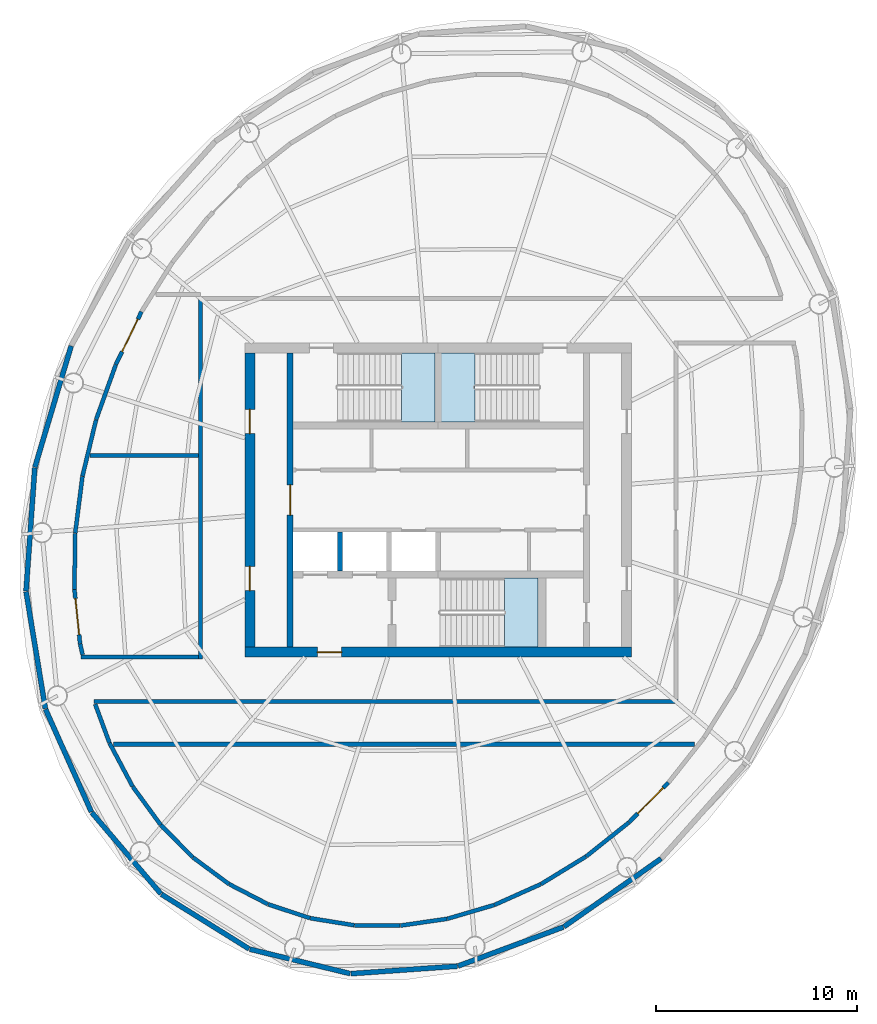
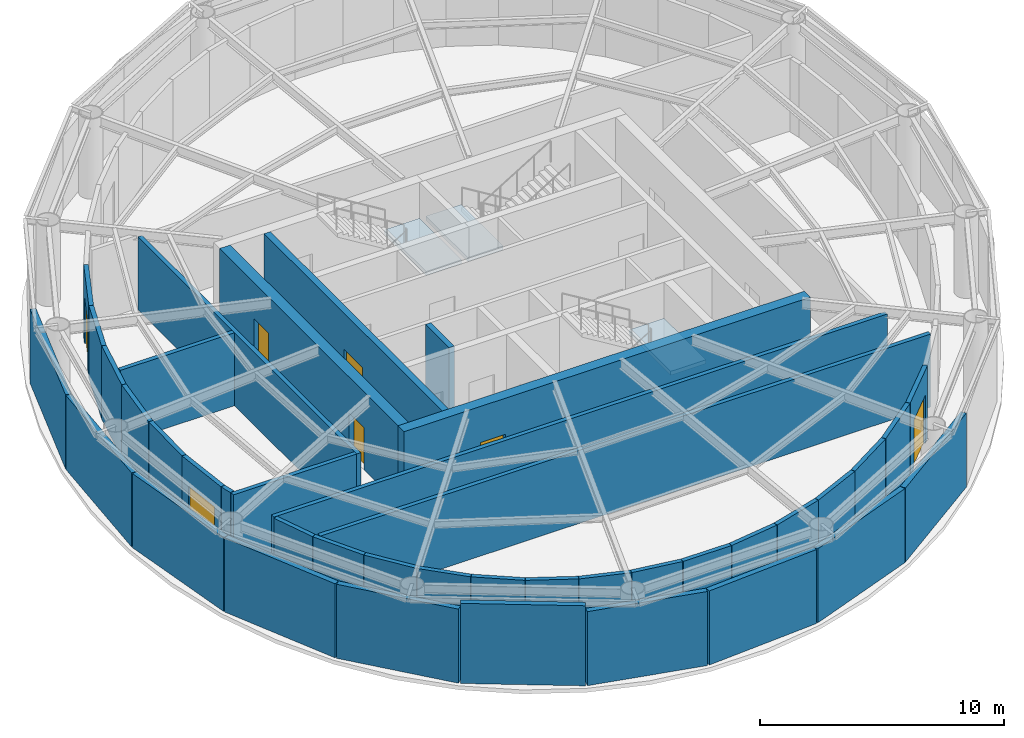
# One storey, part 3 of 6: 41 walls, 7 doors, 3 slabs, 7 openings, 3 elements without a shape of their own.
"""IFC4 building model written with IfcOpenShell, lengths in metres."""

import ifcopenshell
import ifcopenshell.guid

model = None  # the IFC model being written
_history = None  # IfcOwnerHistory: only IFC2X3 demands one
_inside = {}  # id of a spatial element -> (the spatial element, [elements in it])
_under = {}  # id of a project, library or spatial element -> (it, [spatial elements below it])
_declared = {}  # id of a project -> (the project, [libraries it declares])
_typed = {}  # id of a type object -> (the type object, [elements of that type])
_made_of = {}  # id of a material, layer set ... -> (it, [elements and type objects made of it])


def new_model(schema):
    """Start an empty IFC model of exactly this schema.

    Asked for "IFC4X3", IfcOpenShell would pick the latest addendum, in which some entities
    have other attributes; the version numbers below select the first issue.
    IFC2X3 requires an IfcOwnerHistory on every rooted entity: one is made here for all.
    """
    global model, _history
    if schema == "IFC4X3":
        model = ifcopenshell.file(schema_version=(4, 3, 0, 0))
    else:
        model = ifcopenshell.file(schema=schema)
    _inside.clear()
    _under.clear()
    _declared.clear()
    _typed.clear()
    _made_of.clear()
    _history = None
    if model.schema == "IFC2X3":
        org = make("IfcOrganization", Name="unknown")
        user = make(
            "IfcPersonAndOrganization",
            ThePerson=make("IfcPerson", FamilyName="unknown"),
            TheOrganization=org,
        )
        app = make(
            "IfcApplication",
            ApplicationDeveloper=org,
            Version="unknown",
            ApplicationFullName="unknown",
            ApplicationIdentifier="unknown",
        )
        _history = make(
            "IfcOwnerHistory",
            OwningUser=user,
            OwningApplication=app,
            ChangeAction="ADDED",
            CreationDate=0,
        )
    return model


def make(cls, **values):
    """One entity of the class cls with the attributes given. An attribute that is None is left unset."""
    return model.create_entity(
        cls, **{name: value for name, value in values.items() if value is not None}
    )


def rooted(cls, **values):
    """An entity with a GlobalId (a new one), such as an element, a storey or a relation."""
    return make(cls, GlobalId=ifcopenshell.guid.new(), OwnerHistory=_history, **values)


def si_unit(unit_type, name, prefix=None):
    """IfcSIUnit, for example si_unit("LENGTHUNIT", "METRE", prefix="MILLI")."""
    return make("IfcSIUnit", UnitType=unit_type, Prefix=prefix, Name=name)


def assignment(units):
    """IfcUnitAssignment: the units of a project."""
    return None if units is None else make("IfcUnitAssignment", Units=units)


def point(xyz):
    """IfcCartesianPoint."""
    return None if xyz is None else make("IfcCartesianPoint", Coordinates=xyz)


def direction(xyz):
    """IfcDirection."""
    return None if xyz is None else make("IfcDirection", DirectionRatios=xyz)


def frame(location, z_axis=None, x_axis=None):
    """IfcAxis2Placement3D, a coordinate frame: its origin and axes. An axis left out is left unset."""
    return make(
        "IfcAxis2Placement3D",
        Location=point(location),
        Axis=direction(z_axis),
        RefDirection=direction(x_axis),
    )


def frame_2d(location, x_axis=None):
    """IfcAxis2Placement2D, a coordinate frame in the plane: its origin and x axis."""
    return make(
        "IfcAxis2Placement2D", Location=point(location), RefDirection=direction(x_axis)
    )


def origin():
    """The frame at (0, 0, 0) with its axes left unset."""
    return frame((0.0, 0.0, 0.0))


def place(relative_to, where):
    """IfcLocalPlacement: puts the frame where relative to a parent placement (None: the world)."""
    return make(
        "IfcLocalPlacement", PlacementRelTo=relative_to, RelativePlacement=where
    )


def context(
    kind, dimensions, precision=None, world=None, true_north=None, identifier=None
):
    """IfcGeometricRepresentationContext, for example the 3D "Model" context."""
    return make(
        "IfcGeometricRepresentationContext",
        ContextIdentifier=identifier,
        ContextType=kind,
        CoordinateSpaceDimension=dimensions,
        Precision=precision,
        WorldCoordinateSystem=world,
        TrueNorth=true_north,
    )


def subcontext(parent, identifier, kind, view, scale=None):
    """IfcGeometricRepresentationSubContext, for example "Body" below "Model"."""
    return make(
        "IfcGeometricRepresentationSubContext",
        ContextIdentifier=identifier,
        ContextType=kind,
        ParentContext=parent,
        TargetScale=scale,
        TargetView=view,
    )


def project(units=None, contexts=None):
    """IfcProject with its units and contexts."""
    return rooted(
        "IfcProject",
        Name="project",
        RepresentationContexts=contexts,
        UnitsInContext=assignment(units),
    )


def spatial(cls, under=None, at=None, **own):
    """A site, building, storey or space (cls), placed at a placement, below another one or the project."""
    s = rooted(cls, ObjectPlacement=at, **own)
    if under is not None:
        _under.setdefault(under.id(), (under, []))[1].append(s)
    return s


def polyline(points):
    """IfcPolyline through the points."""
    return make("IfcPolyline", Points=[point(p) for p in points])


def profile(cls, at=None, kind="AREA", **sizes):
    """A parametric profile (cls). Its sizes go by their IFC names, for example OverallWidth=200.0."""
    return make(cls, ProfileType=kind, Position=at, **sizes)


def rectangle(**sizes):
    """IfcRectangleProfileDef."""
    return profile("IfcRectangleProfileDef", **sizes)


def outline(outer, holes=None, kind="AREA"):
    """IfcArbitraryClosedProfileDef: a profile drawn as a closed curve; with holes, ...WithVoids."""
    if holes is None:
        return make("IfcArbitraryClosedProfileDef", ProfileType=kind, OuterCurve=outer)
    return make(
        "IfcArbitraryProfileDefWithVoids",
        ProfileType=kind,
        OuterCurve=outer,
        InnerCurves=holes,
    )


def extrude(swept, where, along, depth):
    """IfcExtrudedAreaSolid: the profile swept, set in the frame where, extruded along a direction by depth."""
    return make(
        "IfcExtrudedAreaSolid",
        SweptArea=swept,
        Position=where,
        ExtrudedDirection=direction(along),
        Depth=depth,
    )


def shape(context_of_items, identifier, shape_type, items):
    """IfcShapeRepresentation: the items that make up one representation, for example the "Body"."""
    return make(
        "IfcShapeRepresentation",
        ContextOfItems=context_of_items,
        RepresentationIdentifier=identifier,
        RepresentationType=shape_type,
        Items=items,
    )


def material(Name=None, Category=None):
    """IfcMaterial."""
    return make("IfcMaterial", Name=Name, Category=Category)


def layer(
    of_material, thickness, ventilated=None, Name=None, Category=None, Priority=None
):
    """IfcMaterialLayer: one layer of a wall or slab, of a material (None: an air gap)."""
    return make(
        "IfcMaterialLayer",
        Material=of_material,
        LayerThickness=thickness,
        IsVentilated=ventilated,
        Name=Name,
        Category=Category,
        Priority=Priority,
    )


def layer_set(layers, Name=None):
    """IfcMaterialLayerSet."""
    return make("IfcMaterialLayerSet", MaterialLayers=layers, LayerSetName=Name)


def made_of(thing, what):
    """Note that an element or type object is made of a material, layer set ...; save() writes the relation."""
    if what is not None:
        _made_of.setdefault(what.id(), (what, []))[1].append(thing)
    return thing


def type_object(cls, material=None, **own):
    """A type object (cls), such as IfcWallType, which elements share."""
    return made_of(rooted(cls, **own), material)


def element(
    cls,
    number,
    at=None,
    inside=None,
    cuts=None,
    type_object=None,
    material=None,
    context=None,
    identifier="Body",
    shape_type=None,
    held_by="IfcProductDefinitionShape",
    body=None,
    shapes=None,
    **own,
):
    """One element of the class cls, such as IfcWall. Its Tag is "e" and its number.

    at: its placement. inside: the storey or other place that contains it. cuts: it is an
    opening in that element (IfcRelVoidsElement). A single representation is given by context,
    identifier, shape_type and body (its items); several are given by shapes. held_by: the class
    of the entity that holds the representations. save() writes the other relations.
    """
    e = rooted(cls, Tag="e%d" % number, ObjectPlacement=at, **own)
    if body is not None:
        shapes = [shape(context, identifier, shape_type, body)]
    if shapes is not None:
        e.Representation = make(held_by, Representations=shapes)
    if inside is not None:
        _inside.setdefault(inside.id(), (inside, []))[1].append(e)
    if cuts is not None:
        rooted(
            "IfcRelVoidsElement", RelatingBuildingElement=cuts, RelatedOpeningElement=e
        )
    if type_object is not None:
        _typed.setdefault(type_object.id(), (type_object, []))[1].append(e)
    return made_of(e, material)


def fill(opening, filler):
    """IfcRelFillsElement: the door or window that sits in an opening."""
    return rooted(
        "IfcRelFillsElement",
        RelatingOpeningElement=opening,
        RelatedBuildingElement=filler,
    )


def aggregate(whole, parts):
    """IfcRelAggregates: a whole, such as a stair, and the parts it consists of."""
    return rooted("IfcRelAggregates", RelatingObject=whole, RelatedObjects=parts)


def save(model, path):
    """Write the relations noted so far, then the file.

    IfcRelAggregates (storeys below a building ...), IfcRelContainedInSpatialStructure (elements
    in a storey), IfcRelDefinesByType, IfcRelAssociatesMaterial and IfcRelDeclares: one each for
    every whole, place, type object, material and project.
    """
    for whole, parts in _under.values():
        aggregate(whole, parts)
    for where, things in _inside.values():
        rooted(
            "IfcRelContainedInSpatialStructure",
            RelatedElements=things,
            RelatingStructure=where,
        )
    for kind, things in _typed.values():
        rooted("IfcRelDefinesByType", RelatedObjects=things, RelatingType=kind)
    for what, things in _made_of.values():
        rooted("IfcRelAssociatesMaterial", RelatedObjects=things, RelatingMaterial=what)
    for by, libraries in _declared.values():
        rooted("IfcRelDeclares", RelatingContext=by, RelatedDefinitions=libraries)
    model.write(path)


model = new_model("IFC4")

# Units and contexts
model_context = context("Model", 3, precision=1e-05, world=origin(), true_north=direction((0.0, 1.0)))
body_context = subcontext(model_context, "Body", "Model", "MODEL_VIEW")
ifc_project = project(units=[si_unit("LENGTHUNIT", "METRE"), si_unit("AREAUNIT", "SQUARE_METRE"), si_unit("VOLUMEUNIT", "CUBIC_METRE"), si_unit("PLANEANGLEUNIT", "RADIAN"), si_unit("MASSUNIT", "GRAM", prefix="KILO")], contexts=[model_context])

# Site, building, storey
site_placement = place(None, origin())
site = spatial("IfcSite", under=ifc_project, at=site_placement, CompositionType="ELEMENT")
building_placement = place(site_placement, origin())
building = spatial("IfcBuilding", under=site, at=building_placement, Name="Vermilion Reach Broadcast Tower", CompositionType="ELEMENT")
storey_placement = place(building_placement, frame((0.0, 0.0, 308.699951171875)))
storey = spatial("IfcBuildingStorey", under=building, at=storey_placement, Name="L77 CROWN", CompositionType="ELEMENT", Elevation=308.699951171875)

# Stair, slab
ifc_material_1 = material(Name="Concrete C40", Category="concrete")
stair_type = type_object("IfcStairType", Name="Exit stair RC 26 risers 162 mm", PredefinedType="HALF_TURN_STAIR", material=ifc_material_1)
placement_1 = place(storey_placement, origin())
stair_1 = element("IfcStair", 1, at=placement_1, inside=storey, type_object=stair_type, Name="L77 CROWN Exit stair ST1", PredefinedType="HALF_TURN_STAIR")
ifc_material_2 = material(Name="Concrete C40", Category="concrete")
ifc_layer_1 = layer(ifc_material_2, 0.199951171875)
ifc_layer_set_1 = layer_set([ifc_layer_1], Name="Exit stair landing Concrete C40")
slab_type = type_object("IfcSlabType", Name="Exit stair landing Concrete C40", PredefinedType="LANDING", material=ifc_layer_set_1)
placement_2 = place(storey_placement, frame((0.0, 0.0, 1.900146484375)))
slab_1 = element("IfcSlab", 2, at=placement_2, type_object=slab_type, Name="ST1 landing 1", PredefinedType="LANDING", context=body_context, shape_type="SweptSolid", body=[
    extrude(outline(polyline([(-7.820068359375, 3.8798828125), (-6.14990234375, 3.8798828125), (-6.14990234375, 7.300048828125), (-7.820068359375, 7.300048828125), (-7.820068359375, 3.8798828125)])), origin(), (0.0, 0.0, 1.0), 0.199951171875),
])
aggregate(stair_1, [slab_1])

stair_2 = element("IfcStair", 3, at=placement_1, inside=storey, type_object=stair_type, Name="L77 CROWN Exit stair ST2", PredefinedType="HALF_TURN_STAIR")
slab_2 = element("IfcSlab", 4, at=placement_2, type_object=slab_type, Name="ST2 landing 1", PredefinedType="LANDING", context=body_context, shape_type="SweptSolid", body=[
    extrude(outline(polyline([(-4.179931640625, 7.300048828125), (-5.85009765625, 7.300048828125), (-5.85009765625, 3.8798828125), (-4.179931640625, 3.8798828125), (-4.179931640625, 7.300048828125)])), origin(), (0.0, 0.0, 1.0), 0.199951171875),
])
aggregate(stair_2, [slab_2])

stair_3 = element("IfcStair", 5, at=placement_1, inside=storey, type_object=stair_type, Name="L77 CROWN Exit stair ST3", PredefinedType="HALF_TURN_STAIR")
slab_3 = element("IfcSlab", 6, at=placement_2, type_object=slab_type, Name="ST3 landing 1", PredefinedType="LANDING", context=body_context, shape_type="SweptSolid", body=[
    extrude(outline(polyline([(-2.719970703125, -7.300048828125), (-1.050048828125, -7.300048828125), (-1.050048828125, -3.8798828125), (-2.719970703125, -3.8798828125), (-2.719970703125, -7.300048828125)])), origin(), (0.0, 0.0, 1.0), 0.199951171875),
])
aggregate(stair_3, [slab_3])

# Wall, opening, door
ifc_material_3 = material(Name="Concrete C50", Category="concrete")
ifc_layer_2 = layer(ifc_material_3, 0.300048828125)
ifc_layer_set_2 = layer_set([ifc_layer_2], Name="Core inner wall 300 mm Concrete C50")
wall_type_1 = type_object("IfcWallType", Name="Core inner wall 300 mm Concrete C50", PredefinedType="SHEAR", material=ifc_layer_set_2)
wall_1_placement = place(storey_placement, frame((-13.35009765625, 7.300048828125, 0.0), z_axis=(0.0, 0.0, 1.0), x_axis=(0.0, -1.0, 0.0)))
wall_1 = element("IfcWall", 7, at=wall_1_placement, inside=storey, type_object=wall_type_1, Name="L77 CROWN core wall ewW", PredefinedType="SHEAR", context=body_context, shape_type="SweptSolid", body=[
    extrude(rectangle(XDim=14.60009765625, YDim=0.300048828125, at=frame_2d((7.300048828125, 0.0))), origin(), (0.0, 0.0, 1.0), 3.900146484375),
])
opening_1_placement = place(wall_1_placement, frame((6.550048828125, 0.0, 0.0)))
opening_1 = element("IfcOpeningElement", 8, at=opening_1_placement, cuts=wall_1, Name="Opening D04", PredefinedType="OPENING", context=body_context, shape_type="SweptSolid", body=[
    extrude(rectangle(XDim=1.5, YDim=2.10009765625, at=frame_2d((0.75, 1.050048828125))), frame((0.0, 0.159912109375, 0.0), z_axis=(0.0, -1.0, 0.0), x_axis=(1.0, 0.0, 0.0)), (0.0, 0.0, 1.0), 0.320068359375),
])
ifc_material_4 = material(Name="Painted steel fire door", Category="steel")
door_type_1 = type_object("IfcDoorType", Name="Lift lobby door 1500 x 2100", OperationType="DOUBLE_DOOR_SINGLE_SWING", PredefinedType="NOTDEFINED", material=ifc_material_4)
door_1_placement = place(opening_1_placement, origin())
door_1 = element("IfcDoor", 9, at=door_1_placement, inside=storey, type_object=door_type_1, Name="L77 CROWN band door BW", OperationType="DOUBLE_DOOR_SINGLE_SWING", OverallHeight=2.10009765625, OverallWidth=1.5, PredefinedType="NOTDEFINED", context=body_context, shape_type="SweptSolid", body=[
    extrude(rectangle(XDim=1.5, YDim=2.10009765625, at=frame_2d((0.75, 1.050048828125))), frame((0.0, 0.02490234375, 0.0), z_axis=(0.0, -1.0, 0.0), x_axis=(1.0, 0.0, 0.0)), (0.0, 0.0, 1.0), 0.050048828125),
])
fill(opening_1, door_1)

ifc_material_5 = material(Name="Concrete C50", Category="concrete")
ifc_layer_3 = layer(ifc_material_5, 0.5)
ifc_layer_set_3 = layer_set([ifc_layer_3], Name="Core outer wall 500 mm Concrete C50")
wall_type_2 = type_object("IfcWallType", Name="Core outer wall 500 mm Concrete C50", PredefinedType="SHEAR", material=ifc_layer_set_3)
wall_2_placement = place(storey_placement, frame((-15.60009765625, -7.550048828125, 0.0), z_axis=(0.0, 0.0, 1.0), x_axis=(1.0, 0.0, 0.0)))
wall_2 = element("IfcWall", 10, at=wall_2_placement, inside=storey, type_object=wall_type_2, Name="L77 CROWN core wall os", PredefinedType="SHEAR", context=body_context, shape_type="SweptSolid", body=[
    extrude(rectangle(XDim=19.2001953125, YDim=0.5, at=frame_2d((9.60009765625, 0.0))), origin(), (0.0, 0.0, 1.0), 3.900146484375),
])
opening_2_placement = place(wall_2_placement, frame((3.60009765625, 0.0, 0.0)))
opening_2 = element("IfcOpeningElement", 11, at=opening_2_placement, cuts=wall_2, Name="Opening D02", PredefinedType="OPENING", context=body_context, shape_type="SweptSolid", body=[
    extrude(rectangle(XDim=1.199951171875, YDim=2.10009765625, at=frame_2d((0.60009765625, 1.050048828125))), frame((0.0, 0.260009765625, 0.0), z_axis=(0.0, -1.0, 0.0), x_axis=(1.0, 0.0, 0.0)), (0.0, 0.0, 1.0), 0.52001953125),
])
ifc_material_6 = material(Name="Painted steel fire door", Category="steel")
door_type_2 = type_object("IfcDoorType", Name="Firefighting lobby door 1200 x 2100", OperationType="DOUBLE_DOOR_SINGLE_SWING", PredefinedType="NOTDEFINED", material=ifc_material_6)
door_2_placement = place(opening_2_placement, origin())
door_2 = element("IfcDoor", 12, at=door_2_placement, inside=storey, type_object=door_type_2, Name="L77 CROWN ffdoor door FFL", OperationType="DOUBLE_DOOR_SINGLE_SWING", OverallHeight=2.10009765625, OverallWidth=1.199951171875, PredefinedType="NOTDEFINED", context=body_context, shape_type="SweptSolid", body=[
    extrude(rectangle(XDim=1.199951171875, YDim=2.10009765625, at=frame_2d((0.60009765625, 1.050048828125))), frame((0.0, 0.02490234375, 0.0), z_axis=(0.0, -1.0, 0.0), x_axis=(1.0, 0.0, 0.0)), (0.0, 0.0, 1.0), 0.050048828125),
])
fill(opening_2, door_2)

# Wall, openings, doors
wall_3_placement = place(storey_placement, frame((-15.35009765625, 7.300048828125, 0.0), z_axis=(0.0, 0.0, 1.0), x_axis=(0.0, -1.0, 0.0)))
wall_3 = element("IfcWall", 13, at=wall_3_placement, inside=storey, type_object=wall_type_2, Name="L77 CROWN core wall ow", PredefinedType="SHEAR", context=body_context, shape_type="SweptSolid", body=[
    extrude(rectangle(XDim=14.60009765625, YDim=0.5, at=frame_2d((7.300048828125, 0.0))), origin(), (0.0, 0.0, 1.0), 3.900146484375),
])
opening_3_placement = place(wall_3_placement, frame((10.60009765625, 0.0, 0.0)))
opening_3 = element("IfcOpeningElement", 14, at=opening_3_placement, cuts=wall_3, Name="Opening D03", PredefinedType="OPENING", context=body_context, shape_type="SweptSolid", body=[
    extrude(rectangle(XDim=1.199951171875, YDim=2.10009765625, at=frame_2d((0.60009765625, 1.050048828125))), frame((0.0, 0.260009765625, 0.0), z_axis=(0.0, -1.0, 0.0), x_axis=(1.0, 0.0, 0.0)), (0.0, 0.0, 1.0), 0.52001953125),
])
opening_4_placement = place(wall_3_placement, frame((2.800048828125, 0.0, 0.0)))
opening_4 = element("IfcOpeningElement", 15, at=opening_4_placement, cuts=wall_3, Name="Opening D03", PredefinedType="OPENING", context=body_context, shape_type="SweptSolid", body=[
    extrude(rectangle(XDim=1.199951171875, YDim=2.10009765625, at=frame_2d((0.60009765625, 1.050048828125))), frame((0.0, 0.260009765625, 0.0), z_axis=(0.0, -1.0, 0.0), x_axis=(1.0, 0.0, 0.0)), (0.0, 0.0, 1.0), 0.52001953125),
])
ifc_material_7 = material(Name="Painted steel fire door", Category="steel")
door_type_3 = type_object("IfcDoorType", Name="Core lobby door 1200 x 2100", OperationType="DOUBLE_DOOR_SINGLE_SWING", PredefinedType="NOTDEFINED", material=ifc_material_7)
door_3_placement = place(opening_3_placement, origin())
door_3 = element("IfcDoor", 16, at=door_3_placement, inside=storey, type_object=door_type_3, Name="L77 CROWN slot door W0", OperationType="DOUBLE_DOOR_SINGLE_SWING", OverallHeight=2.10009765625, OverallWidth=1.199951171875, PredefinedType="NOTDEFINED", context=body_context, shape_type="SweptSolid", body=[
    extrude(rectangle(XDim=1.199951171875, YDim=2.10009765625, at=frame_2d((0.60009765625, 1.050048828125))), frame((0.0, 0.02490234375, 0.0), z_axis=(0.0, -1.0, 0.0), x_axis=(1.0, 0.0, 0.0)), (0.0, 0.0, 1.0), 0.050048828125),
])
fill(opening_3, door_3)
door_4_placement = place(opening_4_placement, origin())
door_4 = element("IfcDoor", 17, at=door_4_placement, inside=storey, type_object=door_type_3, Name="L77 CROWN slot door W1", OperationType="DOUBLE_DOOR_SINGLE_SWING", OverallHeight=2.10009765625, OverallWidth=1.199951171875, PredefinedType="NOTDEFINED", context=body_context, shape_type="SweptSolid", body=[
    extrude(rectangle(XDim=1.199951171875, YDim=2.10009765625, at=frame_2d((0.60009765625, 1.050048828125))), frame((0.0, 0.02490234375, 0.0), z_axis=(0.0, -1.0, 0.0), x_axis=(1.0, 0.0, 0.0)), (0.0, 0.0, 1.0), 0.050048828125),
])
fill(opening_4, door_4)

# Walls
ifc_material_8 = material(Name="Concrete C50", Category="concrete")
ifc_layer_4 = layer(ifc_material_8, 0.25)
ifc_layer_set_4 = layer_set([ifc_layer_4], Name="Core shaft wall 250 mm Concrete C50")
wall_type_3 = type_object("IfcWallType", Name="Core shaft wall 250 mm Concrete C50", PredefinedType="SHEAR", material=ifc_layer_set_4)
wall_4_placement = place(storey_placement, frame((-10.88330078125, -1.60009765625, 0.0), z_axis=(0.0, 0.0, 1.0), x_axis=(0.0, -1.0, 0.0)))
element("IfcWall", 18, at=wall_4_placement, inside=storey, type_object=wall_type_3, Name="L77 CROWN core wall psS0", PredefinedType="SHEAR", context=body_context, shape_type="SweptSolid", body=[
    extrude(rectangle(XDim=1.929931640625, YDim=0.25, at=frame_2d((0.96484375, 0.0))), origin(), (0.0, 0.0, 1.0), 3.900146484375),
])
ifc_material_9 = material(Name="Anodised aluminium louvre cladding", Category="aluminium")
ifc_layer_5 = layer(ifc_material_9, 0.25)
ifc_layer_set_5 = layer_set([ifc_layer_5], Name="Plant louvre wall 250")
wall_type_4 = type_object("IfcWallType", Name="Plant louvre wall 250", PredefinedType="SOLIDWALL", material=ifc_layer_set_5)
wall_5_placement = place(storey_placement, frame((-19.736572265625, -19.56982421875, 0.0), z_axis=(0.0, 0.0, 1.0), x_axis=(0.84872546146, -0.528833708333, 0.0)))
element("IfcWall", 19, at=wall_5_placement, inside=storey, type_object=wall_type_4, Name="Louvre wall L77 CROWN 12", PredefinedType="SOLIDWALL", context=body_context, shape_type="SweptSolid", body=[
    extrude(rectangle(XDim=5.124755859375, YDim=0.25, at=frame_2d((2.5625, 0.0))), origin(), (0.0, 0.0, 1.0), 4.0),
])
ifc_material_10 = material(Name="Anodised aluminium louvre cladding", Category="aluminium")
ifc_layer_6 = layer(ifc_material_10, 0.25)
ifc_layer_set_6 = layer_set([ifc_layer_6], Name="Plant louvre wall 250, head 300 below soffit")
wall_type_5 = type_object("IfcWallType", Name="Plant louvre wall 250, head 300 below soffit", PredefinedType="SOLIDWALL", material=ifc_layer_set_6)
wall_6_placement = place(storey_placement, frame((-24.2197265625, 7.64453125, 0.0), z_axis=(0.0, 0.0, 1.0), x_axis=(-0.286431283473, -0.958100787938, 0.0)))
element("IfcWall", 20, at=wall_6_placement, inside=storey, type_object=wall_type_5, Name="Louvre wall L77 CROWN 07", PredefinedType="SOLIDWALL", context=body_context, shape_type="SweptSolid", body=[
    extrude(rectangle(XDim=6.281005859375, YDim=0.25, at=frame_2d((3.140625, 0.0))), origin(), (0.0, 0.0, 1.0), 3.699951171875),
])
wall_7_placement = place(storey_placement, frame((-26.023681640625, 1.60009765625, 0.0), z_axis=(0.0, 0.0, 1.0), x_axis=(-0.07066487406, -0.99750011307, 0.0)))
element("IfcWall", 21, at=wall_7_placement, inside=storey, type_object=wall_type_5, Name="Louvre wall L77 CROWN 08", PredefinedType="SOLIDWALL", context=body_context, shape_type="SweptSolid", body=[
    extrude(rectangle(XDim=6.139404296875, YDim=0.25, at=frame_2d((3.06982421875, 0.0))), origin(), (0.0, 0.0, 1.0), 3.699951171875),
])
wall_8_placement = place(storey_placement, frame((-26.4560546875, -4.552734375, 0.0), z_axis=(0.0, 0.0, 1.0), x_axis=(0.162616041589, -0.986689425816, 0.0)))
element("IfcWall", 22, at=wall_8_placement, inside=storey, type_object=wall_type_5, Name="Louvre wall L77 CROWN 09", PredefinedType="SOLIDWALL", context=body_context, shape_type="SweptSolid", body=[
    extrude(rectangle(XDim=5.88525390625, YDim=0.25, at=frame_2d((2.942626953125, 0.0))), origin(), (0.0, 0.0, 1.0), 3.699951171875),
])
wall_9_placement = place(storey_placement, frame((-25.489990234375, -10.389892578125, 0.0), z_axis=(0.0, 0.0, 1.0), x_axis=(0.407989751163, -0.912986507538, 0.0)))
element("IfcWall", 23, at=wall_9_placement, inside=storey, type_object=wall_type_5, Name="Louvre wall L77 CROWN 10", PredefinedType="SOLIDWALL", context=body_context, shape_type="SweptSolid", body=[
    extrude(rectangle(XDim=5.5771484375, YDim=0.25, at=frame_2d((2.78857421875, 0.0))), origin(), (0.0, 0.0, 1.0), 3.699951171875),
])
wall_10_placement = place(storey_placement, frame((-23.196044921875, -15.511474609375, 0.0), z_axis=(0.0, 0.0, 1.0), x_axis=(0.647893308308, -0.761731094973, 0.0)))
element("IfcWall", 24, at=wall_10_placement, inside=storey, type_object=wall_type_5, Name="Louvre wall L77 CROWN 11", PredefinedType="SOLIDWALL", context=body_context, shape_type="SweptSolid", body=[
    extrude(rectangle(XDim=5.295166015625, YDim=0.25, at=frame_2d((2.6474609375, 0.0))), origin(), (0.0, 0.0, 1.0), 3.699951171875),
])
wall_11_placement = place(storey_placement, frame((-15.350830078125, -22.29541015625, 0.0), z_axis=(0.0, 0.0, 1.0), x_axis=(0.971672333914, -0.236332129654, 0.0)))
element("IfcWall", 25, at=wall_11_placement, inside=storey, type_object=wall_type_5, Name="Louvre wall L77 CROWN 13", PredefinedType="SOLIDWALL", context=body_context, shape_type="SweptSolid", body=[
    extrude(rectangle(XDim=5.125, YDim=0.25, at=frame_2d((2.5625, 0.0))), origin(), (0.0, 0.0, 1.0), 3.699951171875),
])
wall_12_placement = place(storey_placement, frame((-10.333251953125, -23.509765625, 0.0), z_axis=(0.0, 0.0, 1.0), x_axis=(0.997541335578, 0.070080552324, 0.0)))
element("IfcWall", 26, at=wall_12_placement, inside=storey, type_object=wall_type_5, Name="Louvre wall L77 CROWN 14", PredefinedType="SOLIDWALL", context=body_context, shape_type="SweptSolid", body=[
    extrude(rectangle(XDim=5.295166015625, YDim=0.25, at=frame_2d((2.6474609375, 0.0))), origin(), (0.0, 0.0, 1.0), 3.699951171875),
])
wall_13_placement = place(storey_placement, frame((-5.016845703125, -23.13134765625, 0.0), z_axis=(0.0, 0.0, 1.0), x_axis=(0.937764073403, 0.34727300879, 0.0)))
element("IfcWall", 27, at=wall_13_placement, inside=storey, type_object=wall_type_5, Name="Louvre wall L77 CROWN 15", PredefinedType="SOLIDWALL", context=body_context, shape_type="SweptSolid", body=[
    extrude(rectangle(XDim=5.5771484375, YDim=0.25, at=frame_2d((2.78857421875, 0.0))), origin(), (0.0, 0.0, 1.0), 3.699951171875),
])
wall_14_placement = place(storey_placement, frame((0.2412109375, -21.1796875, 0.0), z_axis=(0.0, 0.0, 1.0), x_axis=(0.818761962214, 0.574133128492, 0.0)))
element("IfcWall", 28, at=wall_14_placement, inside=storey, type_object=wall_type_5, Name="Louvre wall L77 CROWN 16", PredefinedType="SOLIDWALL", context=body_context, shape_type="SweptSolid", body=[
    extrude(rectangle(XDim=5.88525390625, YDim=0.25, at=frame_2d((2.942626953125, 0.0))), origin(), (0.0, 0.0, 1.0), 3.699951171875),
])
ifc_material_11 = material(Name="Gypsum board shaft wall")
ifc_layer_7 = layer(ifc_material_11, 0.199951171875)
ifc_layer_set_7 = layer_set([ifc_layer_7], Name="Plant room wall 200")
wall_type_6 = type_object("IfcWallType", Name="Plant room wall 200", PredefinedType="PARTITIONING", material=ifc_layer_set_7)
wall_15_placement = place(storey_placement, frame((-17.800048828125, -7.900146484375, 0.0), z_axis=(0.0, 0.0, 1.0), x_axis=(0.0, 1.0, 0.0)))
element("IfcWall", 29, at=wall_15_placement, inside=storey, type_object=wall_type_6, Name="sp.wall.L77 CROWN.000", PredefinedType="PARTITIONING", context=body_context, shape_type="SweptSolid", body=[
    extrude(rectangle(XDim=17.900146484375, YDim=0.199951171875, at=frame_2d((8.9501953125, 0.0))), origin(), (0.0, 0.0, 1.0), 3.650146484375),
])
wall_16_placement = place(storey_placement, frame((-23.076171875, -10.0, 0.0), z_axis=(0.0, 0.0, 1.0), x_axis=(1.0, 0.0, 0.0)))
element("IfcWall", 30, at=wall_16_placement, inside=storey, type_object=wall_type_6, Name="sp.wall.L77 CROWN.003", PredefinedType="PARTITIONING", context=body_context, shape_type="SweptSolid", body=[
    extrude(rectangle(XDim=28.97607421875, YDim=0.199951171875, at=frame_2d((14.488037109375, 0.0))), origin(), (0.0, 0.0, 1.0), 3.650146484375),
])
wall_17_placement = place(storey_placement, frame((-23.7236328125, -7.800048828125, 0.0), z_axis=(0.0, 0.0, 1.0), x_axis=(1.0, 0.0, 0.0)))
element("IfcWall", 31, at=wall_17_placement, inside=storey, type_object=wall_type_6, Name="sp.wall.L77 CROWN.005", PredefinedType="PARTITIONING", context=body_context, shape_type="SweptSolid", body=[
    extrude(rectangle(XDim=5.82373046875, YDim=0.199951171875, at=frame_2d((2.911865234375, 0.0))), origin(), (0.0, 0.0, 1.0), 3.650146484375),
])
wall_18_placement = place(storey_placement, frame((-23.285400390625, 2.199951171875, 0.0), z_axis=(0.0, 0.0, 1.0), x_axis=(1.0, 0.0, 0.0)))
element("IfcWall", 32, at=wall_18_placement, inside=storey, type_object=wall_type_6, Name="sp.wall.L77 CROWN.006", PredefinedType="PARTITIONING", context=body_context, shape_type="SweptSolid", body=[
    extrude(rectangle(XDim=5.385498046875, YDim=0.199951171875, at=frame_2d((2.69287109375, 0.0))), origin(), (0.0, 0.0, 1.0), 3.650146484375),
])
wall_19_placement = place(storey_placement, frame((-23.774658203125, -7.140869140625, 0.0), z_axis=(0.0, 0.0, 1.0), x_axis=(0.2234024776, -0.974726286196, 0.0)))
element("IfcWall", 33, at=wall_19_placement, inside=storey, type_object=wall_type_6, Name="sp.wall.L77 CROWN.007", PredefinedType="PARTITIONING", context=body_context, shape_type="SweptSolid", body=[
    extrude(rectangle(XDim=0.55078125, YDim=0.199951171875, at=frame_2d((0.275390625, 0.0))), origin(), (0.0, 0.0, 1.0), 3.650146484375),
])

# Wall, opening, door
wall_20_placement = place(storey_placement, frame((-23.77734375, -7.12890625, 0.0), z_axis=(0.0, 0.0, 1.0), x_axis=(-0.102877560919, 0.994694027055, 0.0)))
wall_20 = element("IfcWall", 34, at=wall_20_placement, inside=storey, type_object=wall_type_6, Name="sp.wall.L77 CROWN.008", PredefinedType="PARTITIONING", context=body_context, shape_type="SweptSolid", body=[
    extrude(rectangle(XDim=2.70068359375, YDim=0.199951171875, at=frame_2d((1.350341796875, 0.0))), origin(), (0.0, 0.0, 1.0), 3.650146484375),
])
opening_5_placement = place(wall_20_placement, frame((0.4501953125, 0.0, 0.0)))
opening_5 = element("IfcOpeningElement", 35, at=opening_5_placement, cuts=wall_20, Name="Opening D53", PredefinedType="OPENING", context=body_context, shape_type="SweptSolid", body=[
    extrude(rectangle(XDim=1.800048828125, YDim=2.39990234375, at=frame_2d((0.89990234375, 1.199951171875))), frame((0.0, 0.10986328125, 0.0), z_axis=(0.0, -1.0, 0.0), x_axis=(1.0, 0.0, 0.0)), (0.0, 0.0, 1.0), 0.219970703125),
])
ifc_material_12 = material(Name="Timber and steel door set", Category="steel")
door_type_4 = type_object("IfcDoorType", Name="Plant double door 1800x2400", OperationType="NOTDEFINED", PredefinedType="DOOR", material=ifc_material_12)
door_5_placement = place(opening_5_placement, origin())
door_5 = element("IfcDoor", 36, at=door_5_placement, inside=storey, type_object=door_type_4, Name="sp.door.L77 CROWN.000", OperationType="DOUBLE_DOOR_SINGLE_SWING", OverallHeight=2.39990234375, OverallWidth=1.800048828125, PredefinedType="DOOR", context=body_context, shape_type="SweptSolid", body=[
    extrude(rectangle(XDim=1.800048828125, YDim=2.39990234375, at=frame_2d((0.89990234375, 1.199951171875))), frame((0.0, 0.02490234375, 0.0), z_axis=(0.0, -1.0, 0.0), x_axis=(1.0, 0.0, 0.0)), (0.0, 0.0, 1.0), 0.050048828125),
])
fill(opening_5, door_5)

# Walls
wall_21_placement = place(storey_placement, frame((-24.056396484375, -4.430908203125, 0.0), z_axis=(0.0, 0.0, 1.0), x_axis=(0.013897320686, 0.999903427576, 0.0)))
element("IfcWall", 37, at=wall_21_placement, inside=storey, type_object=wall_type_6, Name="sp.wall.L77 CROWN.009", PredefinedType="PARTITIONING", context=body_context, shape_type="SweptSolid", body=[
    extrude(rectangle(XDim=2.775634765625, YDim=0.199951171875, at=frame_2d((1.3876953125, 0.0))), origin(), (0.0, 0.0, 1.0), 3.650146484375),
])
wall_22_placement = place(storey_placement, frame((-24.017578125, -1.64404296875, 0.0), z_axis=(0.0, 0.0, 1.0), x_axis=(0.126302032537, 0.991991832919, 0.0)))
element("IfcWall", 38, at=wall_22_placement, inside=storey, type_object=wall_type_6, Name="sp.wall.L77 CROWN.010", PredefinedType="PARTITIONING", context=body_context, shape_type="SweptSolid", body=[
    extrude(rectangle(XDim=2.835693359375, YDim=0.199951171875, at=frame_2d((1.41796875, 0.0))), origin(), (0.0, 0.0, 1.0), 3.650146484375),
])
wall_23_placement = place(storey_placement, frame((-23.657958984375, 1.1796875, 0.0), z_axis=(0.0, 0.0, 1.0), x_axis=(0.234120678443, 0.972207543648, 0.0)))
element("IfcWall", 39, at=wall_23_placement, inside=storey, type_object=wall_type_6, Name="sp.wall.L77 CROWN.011", PredefinedType="PARTITIONING", context=body_context, shape_type="SweptSolid", body=[
    extrude(rectangle(XDim=2.877197265625, YDim=0.199951171875, at=frame_2d((1.4384765625, 0.0))), origin(), (0.0, 0.0, 1.0), 3.650146484375),
])
wall_24_placement = place(storey_placement, frame((-22.981689453125, 3.987548828125, 0.0), z_axis=(0.0, 0.0, 1.0), x_axis=(0.337478197562, 0.941333344873, 0.0)))
element("IfcWall", 40, at=wall_24_placement, inside=storey, type_object=wall_type_6, Name="sp.wall.L77 CROWN.013", PredefinedType="PARTITIONING", context=body_context, shape_type="SweptSolid", body=[
    extrude(rectangle(XDim=2.89794921875, YDim=0.199951171875, at=frame_2d((1.448974609375, 0.0))), origin(), (0.0, 0.0, 1.0), 3.650146484375),
])

# Wall, opening, door
wall_25_placement = place(storey_placement, frame((-20.73046875, 9.34326171875, 0.0), z_axis=(0.0, 0.0, 1.0), x_axis=(-0.436405284506, -0.89975020292, 0.0)))
wall_25 = element("IfcWall", 41, at=wall_25_placement, inside=storey, type_object=wall_type_6, Name="sp.wall.L77 CROWN.014", PredefinedType="PARTITIONING", context=body_context, shape_type="SweptSolid", body=[
    extrude(rectangle(XDim=2.9091796875, YDim=0.199951171875, at=frame_2d((1.45458984375, 0.0))), origin(), (0.0, 0.0, 1.0), 3.650146484375),
])
opening_6_placement = place(wall_25_placement, frame((0.403076171875, 0.0, 0.0)))
opening_6 = element("IfcOpeningElement", 42, at=opening_6_placement, cuts=wall_25, Name="Opening D53", PredefinedType="OPENING", context=body_context, shape_type="SweptSolid", body=[
    extrude(rectangle(XDim=1.800048828125, YDim=2.39990234375, at=frame_2d((0.89990234375, 1.199951171875))), frame((0.0, 0.10986328125, 0.0), z_axis=(0.0, -1.0, 0.0), x_axis=(1.0, 0.0, 0.0)), (0.0, 0.0, 1.0), 0.219970703125),
])
door_6_placement = place(opening_6_placement, origin())
door_6 = element("IfcDoor", 43, at=door_6_placement, inside=storey, type_object=door_type_4, Name="sp.door.L77 CROWN.001", OperationType="DOUBLE_DOOR_SINGLE_SWING", OverallHeight=2.39990234375, OverallWidth=1.800048828125, PredefinedType="DOOR", context=body_context, shape_type="SweptSolid", body=[
    extrude(rectangle(XDim=1.800048828125, YDim=2.39990234375, at=frame_2d((0.89990234375, 1.199951171875))), frame((0.0, 0.02490234375, 0.0), z_axis=(0.0, -1.0, 0.0), x_axis=(1.0, 0.0, 0.0)), (0.0, 0.0, 1.0), 0.050048828125),
])
fill(opening_6, door_6)

# Wall
wall_26_placement = place(storey_placement, frame((-22.11669921875, -12.123291015625, 0.0), z_axis=(0.0, 0.0, 1.0), x_axis=(1.0, 0.0, 0.0)))
element("IfcWall", 44, at=wall_26_placement, inside=storey, type_object=wall_type_6, Name="sp.wall.L77 CROWN.032", PredefinedType="PARTITIONING", context=body_context, shape_type="SweptSolid", body=[
    extrude(rectangle(XDim=28.8447265625, YDim=0.199951171875, at=frame_2d((14.42236328125, 0.0))), origin(), (0.0, 0.0, 1.0), 3.650146484375),
])

# Wall, opening, door
wall_27_placement = place(storey_placement, frame((3.467529296875, -16.0009765625, 0.0), z_axis=(0.0, 0.0, 1.0), x_axis=(0.704683921548, 0.70952136734, 0.0)))
wall_27 = element("IfcWall", 45, at=wall_27_placement, inside=storey, type_object=wall_type_6, Name="sp.wall.L77 CROWN.033", PredefinedType="PARTITIONING", context=body_context, shape_type="SweptSolid", body=[
    extrude(rectangle(XDim=2.77587890625, YDim=0.199951171875, at=frame_2d((1.387939453125, 0.0))), origin(), (0.0, 0.0, 1.0), 3.650146484375),
])
opening_7_placement = place(wall_27_placement, frame((0.6171875, 0.0, 0.0)))
opening_7 = element("IfcOpeningElement", 46, at=opening_7_placement, cuts=wall_27, Name="Opening D53", PredefinedType="OPENING", context=body_context, shape_type="SweptSolid", body=[
    extrude(rectangle(XDim=1.800048828125, YDim=2.39990234375, at=frame_2d((0.89990234375, 1.199951171875))), frame((0.0, 0.10986328125, 0.0), z_axis=(0.0, -1.0, 0.0), x_axis=(1.0, 0.0, 0.0)), (0.0, 0.0, 1.0), 0.219970703125),
])
door_7_placement = place(opening_7_placement, origin())
door_7 = element("IfcDoor", 47, at=door_7_placement, inside=storey, type_object=door_type_4, Name="sp.door.L77 CROWN.003", OperationType="DOUBLE_DOOR_SINGLE_SWING", OverallHeight=2.39990234375, OverallWidth=1.800048828125, PredefinedType="DOOR", context=body_context, shape_type="SweptSolid", body=[
    extrude(rectangle(XDim=1.800048828125, YDim=2.39990234375, at=frame_2d((0.89990234375, 1.199951171875))), frame((0.0, 0.02490234375, 0.0), z_axis=(0.0, -1.0, 0.0), x_axis=(1.0, 0.0, 0.0)), (0.0, 0.0, 1.0), 0.050048828125),
])
fill(opening_7, door_7)

# Walls
wall_28_placement = place(storey_placement, frame((1.3447265625, -17.689208984375, 0.0), z_axis=(0.0, 0.0, 1.0), x_axis=(0.782656107767, 0.62245434931, 0.0)))
element("IfcWall", 48, at=wall_28_placement, inside=storey, type_object=wall_type_6, Name="sp.wall.L77 CROWN.034", PredefinedType="PARTITIONING", context=body_context, shape_type="SweptSolid", body=[
    extrude(rectangle(XDim=2.700439453125, YDim=0.199951171875, at=frame_2d((1.35009765625, 0.0))), origin(), (0.0, 0.0, 1.0), 3.650146484375),
])
wall_29_placement = place(storey_placement, frame((-0.894287109375, -19.061279296875, 0.0), z_axis=(0.0, 0.0, 1.0), x_axis=(0.852667029926, 0.522454721557, 0.0)))
element("IfcWall", 49, at=wall_29_placement, inside=storey, type_object=wall_type_6, Name="sp.wall.L77 CROWN.035", PredefinedType="PARTITIONING", context=body_context, shape_type="SweptSolid", body=[
    extrude(rectangle(XDim=2.613525390625, YDim=0.199951171875, at=frame_2d((1.306640625, 0.0))), origin(), (0.0, 0.0, 1.0), 3.650146484375),
])
wall_30_placement = place(storey_placement, frame((-3.2060546875, -20.097412109375, 0.0), z_axis=(0.0, 0.0, 1.0), x_axis=(0.912552955942, 0.408958558538, 0.0)))
element("IfcWall", 50, at=wall_30_placement, inside=storey, type_object=wall_type_6, Name="sp.wall.L77 CROWN.036", PredefinedType="PARTITIONING", context=body_context, shape_type="SweptSolid", body=[
    extrude(rectangle(XDim=2.5205078125, YDim=0.199951171875, at=frame_2d((1.26025390625, 0.0))), origin(), (0.0, 0.0, 1.0), 3.650146484375),
])
wall_31_placement = place(storey_placement, frame((-5.546630859375, -20.7861328125, 0.0), z_axis=(0.0, 0.0, 1.0), x_axis=(0.95934146389, 0.28224803925, 0.0)))
element("IfcWall", 51, at=wall_31_placement, inside=storey, type_object=wall_type_6, Name="sp.wall.L77 CROWN.037", PredefinedType="PARTITIONING", context=body_context, shape_type="SweptSolid", body=[
    extrude(rectangle(XDim=2.42626953125, YDim=0.199951171875, at=frame_2d((1.213134765625, 0.0))), origin(), (0.0, 0.0, 1.0), 3.650146484375),
])
wall_32_placement = place(storey_placement, frame((-7.875, -21.123291015625, 0.0), z_axis=(0.0, 0.0, 1.0), x_axis=(0.989671979467, 0.143350525141, 0.0)))
element("IfcWall", 52, at=wall_32_placement, inside=storey, type_object=wall_type_6, Name="sp.wall.L77 CROWN.038", PredefinedType="PARTITIONING", context=body_context, shape_type="SweptSolid", body=[
    extrude(rectangle(XDim=2.33837890625, YDim=0.199951171875, at=frame_2d((1.169189453125, 0.0))), origin(), (0.0, 0.0, 1.0), 3.650146484375),
])
wall_33_placement = place(storey_placement, frame((-10.15380859375, -21.111328125, 0.0), z_axis=(0.0, 0.0, 1.0), x_axis=(0.999986603133, -0.005176248997, 0.0)))
element("IfcWall", 53, at=wall_33_placement, inside=storey, type_object=wall_type_6, Name="sp.wall.L77 CROWN.039", PredefinedType="PARTITIONING", context=body_context, shape_type="SweptSolid", body=[
    extrude(rectangle(XDim=2.263916015625, YDim=0.199951171875, at=frame_2d((1.1318359375, 0.0))), origin(), (0.0, 0.0, 1.0), 3.650146484375),
])
wall_34_placement = place(storey_placement, frame((-12.350341796875, -20.75732421875, 0.0), z_axis=(0.0, 0.0, 1.0), x_axis=(0.987257926423, -0.159128208423, 0.0)))
element("IfcWall", 54, at=wall_34_placement, inside=storey, type_object=wall_type_6, Name="sp.wall.L77 CROWN.040", PredefinedType="PARTITIONING", context=body_context, shape_type="SweptSolid", body=[
    extrude(rectangle(XDim=2.209228515625, YDim=0.199951171875, at=frame_2d((1.1044921875, 0.0))), origin(), (0.0, 0.0, 1.0), 3.650146484375),
])
wall_35_placement = place(storey_placement, frame((-14.436767578125, -20.0703125, 0.0), z_axis=(0.0, 0.0, 1.0), x_axis=(0.949852302688, -0.312698901627, 0.0)))
element("IfcWall", 55, at=wall_35_placement, inside=storey, type_object=wall_type_6, Name="sp.wall.L77 CROWN.041", PredefinedType="PARTITIONING", context=body_context, shape_type="SweptSolid", body=[
    extrude(rectangle(XDim=2.1806640625, YDim=0.199951171875, at=frame_2d((1.09033203125, 0.0))), origin(), (0.0, 0.0, 1.0), 3.650146484375),
])
wall_36_placement = place(storey_placement, frame((-16.373291015625, -19.067626953125, 0.0), z_axis=(0.0, 0.0, 1.0), x_axis=(0.888068415533, -0.45971131086, 0.0)))
element("IfcWall", 56, at=wall_36_placement, inside=storey, type_object=wall_type_6, Name="sp.wall.L77 CROWN.042", PredefinedType="PARTITIONING", context=body_context, shape_type="SweptSolid", body=[
    extrude(rectangle(XDim=2.16455078125, YDim=0.199951171875, at=frame_2d((1.082275390625, 0.0))), origin(), (0.0, 0.0, 1.0), 3.650146484375),
])
wall_37_placement = place(storey_placement, frame((-18.164794921875, -17.747802734375, 0.0), z_axis=(0.0, 0.0, 1.0), x_axis=(0.80443326696, -0.594043027909, 0.0)))
element("IfcWall", 57, at=wall_37_placement, inside=storey, type_object=wall_type_6, Name="sp.wall.L77 CROWN.043", PredefinedType="PARTITIONING", context=body_context, shape_type="SweptSolid", body=[
    extrude(rectangle(XDim=2.20947265625, YDim=0.199951171875, at=frame_2d((1.104736328125, 0.0))), origin(), (0.0, 0.0, 1.0), 3.650146484375),
])
wall_38_placement = place(storey_placement, frame((-19.76953125, -16.12939453125, 0.0), z_axis=(0.0, 0.0, 1.0), x_axis=(0.703376280453, -0.710817703843, 0.0)))
element("IfcWall", 58, at=wall_38_placement, inside=storey, type_object=wall_type_6, Name="sp.wall.L77 CROWN.044", PredefinedType="PARTITIONING", context=body_context, shape_type="SweptSolid", body=[
    extrude(rectangle(XDim=2.263671875, YDim=0.199951171875, at=frame_2d((1.1318359375, 0.0))), origin(), (0.0, 0.0, 1.0), 3.650146484375),
])
wall_39_placement = place(storey_placement, frame((-21.159912109375, -14.230712890625, 0.0), z_axis=(0.0, 0.0, 1.0), x_axis=(0.590082027637, -0.807343297897, 0.0)))
element("IfcWall", 59, at=wall_39_placement, inside=storey, type_object=wall_type_6, Name="sp.wall.L77 CROWN.045", PredefinedType="PARTITIONING", context=body_context, shape_type="SweptSolid", body=[
    extrude(rectangle(XDim=2.33837890625, YDim=0.199951171875, at=frame_2d((1.169189453125, 0.0))), origin(), (0.0, 0.0, 1.0), 3.650146484375),
])
wall_40_placement = place(storey_placement, frame((-22.31396484375, -12.065185546875, 0.0), z_axis=(0.0, 0.0, 1.0), x_axis=(0.469606334902, -0.882875920059, 0.0)))
element("IfcWall", 60, at=wall_40_placement, inside=storey, type_object=wall_type_6, Name="sp.wall.L77 CROWN.046", PredefinedType="PARTITIONING", context=body_context, shape_type="SweptSolid", body=[
    extrude(rectangle(XDim=2.439697265625, YDim=0.199951171875, at=frame_2d((1.2197265625, 0.0))), origin(), (0.0, 0.0, 1.0), 3.650146484375),
])
wall_41_placement = place(storey_placement, frame((-23.0263671875, -10.134521484375, 0.0), z_axis=(0.0, 0.0, 1.0), x_axis=(0.346197844841, -0.938161527791, 0.0)))
element("IfcWall", 61, at=wall_41_placement, inside=storey, type_object=wall_type_6, Name="sp.wall.L77 CROWN.054", PredefinedType="PARTITIONING", context=body_context, shape_type="SweptSolid", body=[
    extrude(rectangle(XDim=2.04443359375, YDim=0.199951171875, at=frame_2d((1.022216796875, 0.0))), origin(), (0.0, 0.0, 1.0), 3.650146484375),
])

save(model, "model.ifc")
